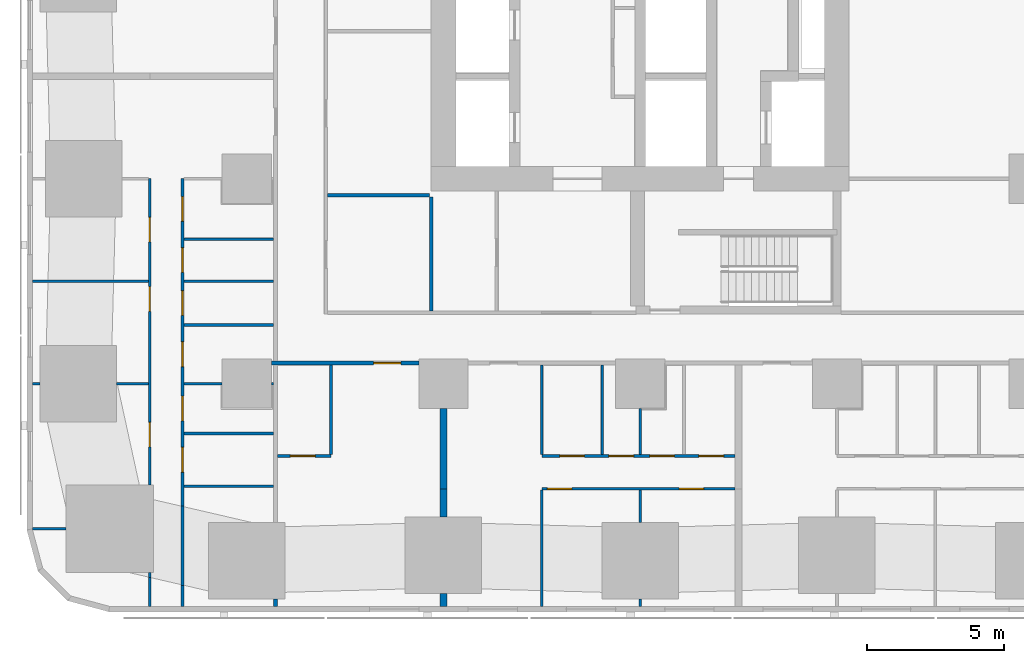
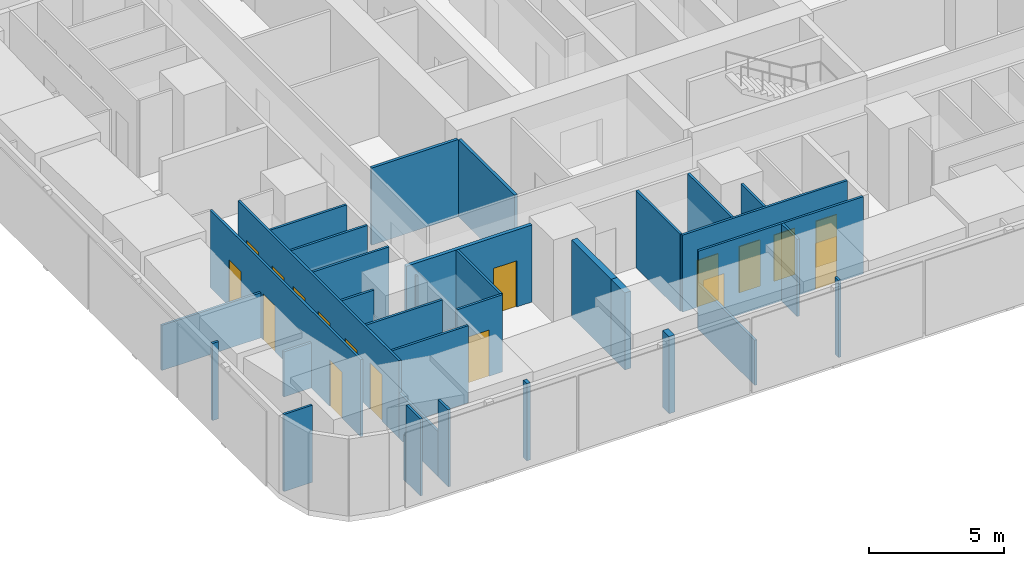
# One storey, part 2 of 18: 34 walls, 17 doors, 17 openings.
"""IFC4 building model written with IfcOpenShell, lengths in metres."""

from ifc_helpers import new_model, si_unit, direction, frame, frame_2d, origin, place, context, subcontext, project, spatial, rectangle, extrude, material, layer, layer_set, type_object, element, fill, save


model = new_model("IFC4")

# Units and contexts
model_context = context("Model", 3, precision=1e-05, world=origin(), true_north=direction((0.0, 1.0)))
body_context = subcontext(model_context, "Body", "Model", "MODEL_VIEW")
ifc_project = project(units=[si_unit("LENGTHUNIT", "METRE"), si_unit("AREAUNIT", "SQUARE_METRE"), si_unit("VOLUMEUNIT", "CUBIC_METRE"), si_unit("PLANEANGLEUNIT", "RADIAN"), si_unit("MASSUNIT", "GRAM", prefix="KILO")], contexts=[model_context])

# Site, building, storey
site_placement = place(None, origin())
site = spatial("IfcSite", under=ifc_project, at=site_placement, CompositionType="ELEMENT")
building_placement = place(site_placement, origin())
building = spatial("IfcBuilding", under=site, at=building_placement, Name="Sheger Commons Tower", CompositionType="ELEMENT")
storey_placement = place(building_placement, frame((0.0, 0.0, 31.25)))
storey = spatial("IfcBuildingStorey", under=building, at=storey_placement, Name="L07", CompositionType="ELEMENT", Elevation=31.25)

# Wall
ifc_material_1 = material(Name="Hollow concrete block masonry, skimmed both sides", Category="masonry")
ifc_layer_1 = layer(ifc_material_1, 0.14990234375)
ifc_layer_set_1 = layer_set([ifc_layer_1], Name="CORRIDOR WALL 150")
wall_type_1 = type_object("IfcWallType", Name="CORRIDOR WALL 150", PredefinedType="SOLIDWALL", material=ifc_layer_set_1)
wall_1_placement = place(storey_placement, frame((8.25, -0.64990234375, 0.0), z_axis=(0.0, 0.0, 1.0), x_axis=(0.0, 1.0, 0.0)))
element("IfcWall", 1, at=wall_1_placement, inside=storey, type_object=wall_type_1, Name="Corridor wall L07", PredefinedType="SOLIDWALL", context=body_context, shape_type="SweptSolid", body=[
    extrude(rectangle(XDim=0.27392578125, YDim=0.14990234375, at=frame_2d((0.136962890625, 0.0))), origin(), (0.0, 0.0, 1.0), 3.5),
])

# Wall, opening, door
wall_2_placement = place(storey_placement, frame((13.4990234375, 8.25, 0.0), z_axis=(0.0, 0.0, 1.0), x_axis=(-1.0, 0.0, 0.0)))
wall_2 = element("IfcWall", 2, at=wall_2_placement, inside=storey, type_object=wall_type_1, Name="Corridor wall L07", PredefinedType="SOLIDWALL", context=body_context, shape_type="SweptSolid", body=[
    extrude(rectangle(XDim=5.39892578125, YDim=0.14990234375, at=frame_2d((2.699462890625, 0.0))), origin(), (0.0, 0.0, 1.0), 3.5),
])
opening_1_placement = place(wall_2_placement, frame((0.659912109375, 0.0, 0.0)))
opening_1 = element("IfcOpeningElement", 3, at=opening_1_placement, cuts=wall_2, Name="Opening D1", PredefinedType="OPENING", context=body_context, shape_type="SweptSolid", body=[
    extrude(rectangle(XDim=1.0, YDim=2.10009765625, at=frame_2d((0.5, 1.050048828125))), frame((0.0, 0.0849609375, 0.0), z_axis=(0.0, -1.0, 0.0), x_axis=(1.0, 0.0, 0.0)), (0.0, 0.0, 1.0), 0.169921875),
])
ifc_material_2 = material(Name="Steel door set, fire rated", Category="steel")
door_type_1 = type_object("IfcDoorType", Name="FLAT ENTRANCE DOOR 1000x2100", OperationType="NOTDEFINED", PredefinedType="DOOR", material=ifc_material_2)
door_1_placement = place(opening_1_placement, origin())
door_1 = element("IfcDoor", 4, at=door_1_placement, inside=storey, type_object=door_type_1, Name="Flat entrance door", OperationType="SINGLE_SWING_LEFT", OverallHeight=2.10009765625, OverallWidth=1.0, PredefinedType="DOOR", context=body_context, shape_type="SweptSolid", body=[
    extrude(rectangle(XDim=1.0, YDim=2.10009765625, at=frame_2d((0.5, 1.050048828125))), frame((0.0, 0.02490234375, 0.0), z_axis=(0.0, -1.0, 0.0), x_axis=(1.0, 0.0, 0.0)), (0.0, 0.0, 1.0), 0.050048828125),
])
fill(opening_1, door_1)

# Walls
ifc_material_3 = material(Name="Dense concrete block masonry, plastered both sides (separating wall between flats)", Category="masonry")
ifc_layer_2 = layer(ifc_material_3, 0.25)
ifc_layer_set_2 = layer_set([ifc_layer_2], Name="DEMISING WALL 250")
wall_type_2 = type_object("IfcWallType", Name="DEMISING WALL 250", PredefinedType="SOLIDWALL", material=ifc_layer_set_2)
wall_3_placement = place(storey_placement, frame((14.39990234375, -0.64990234375, 0.0), z_axis=(0.0, 0.0, 1.0), x_axis=(0.0, 1.0, 0.0)))
element("IfcWall", 5, at=wall_3_placement, inside=storey, type_object=wall_type_2, Name="Demising wall L07", PredefinedType="SOLIDWALL", context=body_context, shape_type="SweptSolid", body=[
    extrude(rectangle(XDim=0.473876953125, YDim=0.25, at=frame_2d((0.23681640625, 0.0))), origin(), (0.0, 0.0, 1.0), 3.5),
])
wall_4_placement = place(storey_placement, frame((14.39990234375, 2.6259765625, 0.0), z_axis=(0.0, 0.0, 1.0), x_axis=(0.0, 1.0, 0.0)))
element("IfcWall", 6, at=wall_4_placement, inside=storey, type_object=wall_type_2, Name="Demising wall L07", PredefinedType="SOLIDWALL", context=body_context, shape_type="SweptSolid", body=[
    extrude(rectangle(XDim=1.02392578125, YDim=0.25, at=frame_2d((0.511962890625, 0.0))), origin(), (0.0, 0.0, 1.0), 3.5),
])
wall_5_placement = place(storey_placement, frame((14.39990234375, 3.64990234375, 0.0), z_axis=(0.0, 0.0, 1.0), x_axis=(0.0, 1.0, 0.0)))
element("IfcWall", 7, at=wall_5_placement, inside=storey, type_object=wall_type_2, Name="Demising wall L07", PredefinedType="SOLIDWALL", context=body_context, shape_type="SweptSolid", body=[
    extrude(rectangle(XDim=2.94921875, YDim=0.25, at=frame_2d((1.474609375, 0.0))), origin(), (0.0, 0.0, 1.0), 3.5),
])
ifc_material_4 = material(Name="Gypsum board on steel studs", Category="steel")
ifc_layer_3 = layer(ifc_material_4, 0.10009765625)
ifc_layer_set_3 = layer_set([ifc_layer_3], Name="PARTITION 100")
wall_type_3 = type_object("IfcWallType", Name="PARTITION 100", PredefinedType="PARTITIONING", material=ifc_layer_set_3)
wall_6_placement = place(storey_placement, frame((3.64990234375, -0.64990234375, 0.0), z_axis=(0.0, 0.0, 1.0), x_axis=(0.0, 1.0, 0.0)))
element("IfcWall", 8, at=wall_6_placement, inside=storey, type_object=wall_type_3, Name="Partition L07", PredefinedType="PARTITIONING", context=body_context, shape_type="SweptSolid", body=[
    extrude(rectangle(XDim=1.0478515625, YDim=0.10009765625, at=frame_2d((0.52392578125, 0.0))), origin(), (0.0, 0.0, 1.0), 3.5),
])
wall_7_placement = place(storey_placement, frame((3.64990234375, 0.39794921875, 0.0), z_axis=(0.0, 0.0, 1.0), x_axis=(0.0, 1.0, 0.0)))
element("IfcWall", 9, at=wall_7_placement, inside=storey, type_object=wall_type_3, Name="Partition L07", PredefinedType="PARTITIONING", context=body_context, shape_type="SweptSolid", body=[
    extrude(rectangle(XDim=0.18701171875, YDim=0.10009765625, at=frame_2d((0.093505859375, 0.0))), origin(), (0.0, 0.0, 1.0), 2.050048828125),
])

# Wall, openings, doors
wall_8_placement = place(storey_placement, frame((3.64990234375, 3.787109375, 0.0), z_axis=(0.0, 0.0, 1.0), x_axis=(0.0, 1.0, 0.0)))
wall_8 = element("IfcWall", 10, at=wall_8_placement, inside=storey, type_object=wall_type_3, Name="Partition L07", PredefinedType="PARTITIONING", context=body_context, shape_type="SweptSolid", body=[
    extrude(rectangle(XDim=11.212890625, YDim=0.10009765625, at=frame_2d((5.6064453125, 0.0))), origin(), (0.0, 0.0, 1.0), 3.5),
])
opening_2_placement = place(wall_8_placement, frame((8.89990234375, 0.0, 0.0)))
opening_2 = element("IfcOpeningElement", 11, at=opening_2_placement, cuts=wall_8, Name="Opening D2", PredefinedType="OPENING", context=body_context, shape_type="SweptSolid", body=[
    extrude(rectangle(XDim=0.89990234375, YDim=2.10009765625, at=frame_2d((0.449951171875, 1.050048828125))), frame((0.0, 0.06005859375, 0.0), z_axis=(0.0, -1.0, 0.0), x_axis=(1.0, 0.0, 0.0)), (0.0, 0.0, 1.0), 0.1201171875),
])
opening_3_placement = place(wall_8_placement, frame((6.363037109375, 0.0, 0.0)))
opening_3 = element("IfcOpeningElement", 12, at=opening_3_placement, cuts=wall_8, Name="Opening D2", PredefinedType="OPENING", context=body_context, shape_type="SweptSolid", body=[
    extrude(rectangle(XDim=0.89990234375, YDim=2.10009765625, at=frame_2d((0.449951171875, 1.050048828125))), frame((0.0, 0.06005859375, 0.0), z_axis=(0.0, -1.0, 0.0), x_axis=(1.0, 0.0, 0.0)), (0.0, 0.0, 1.0), 0.1201171875),
])
opening_4_placement = place(wall_8_placement, frame((1.39990234375, 0.0, 0.0)))
opening_4 = element("IfcOpeningElement", 13, at=opening_4_placement, cuts=wall_8, Name="Opening D2", PredefinedType="OPENING", context=body_context, shape_type="SweptSolid", body=[
    extrude(rectangle(XDim=0.89990234375, YDim=2.10009765625, at=frame_2d((0.449951171875, 1.050048828125))), frame((0.0, 0.06005859375, 0.0), z_axis=(0.0, -1.0, 0.0), x_axis=(1.0, 0.0, 0.0)), (0.0, 0.0, 1.0), 0.1201171875),
])
ifc_material_5 = material(Name="Timber door set", Category="wood")
door_type_2 = type_object("IfcDoorType", Name="INTERNAL DOOR 900x2100", OperationType="NOTDEFINED", PredefinedType="DOOR", material=ifc_material_5)
door_2_placement = place(opening_2_placement, origin())
door_2 = element("IfcDoor", 14, at=door_2_placement, inside=storey, type_object=door_type_2, Name="Main bedroom door", OperationType="SINGLE_SWING_RIGHT", OverallHeight=2.10009765625, OverallWidth=0.89990234375, PredefinedType="DOOR", context=body_context, shape_type="SweptSolid", body=[
    extrude(rectangle(XDim=0.89990234375, YDim=2.10009765625, at=frame_2d((0.449951171875, 1.050048828125))), frame((0.0, 0.02490234375, 0.0), z_axis=(0.0, -1.0, 0.0), x_axis=(1.0, 0.0, 0.0)), (0.0, 0.0, 1.0), 0.050048828125),
])
fill(opening_2, door_2)
door_3_placement = place(opening_3_placement, origin())
door_3 = element("IfcDoor", 15, at=door_3_placement, inside=storey, type_object=door_type_2, Name="Bedroom 2 door", OperationType="SINGLE_SWING_RIGHT", OverallHeight=2.10009765625, OverallWidth=0.89990234375, PredefinedType="DOOR", context=body_context, shape_type="SweptSolid", body=[
    extrude(rectangle(XDim=0.89990234375, YDim=2.10009765625, at=frame_2d((0.449951171875, 1.050048828125))), frame((0.0, 0.02490234375, 0.0), z_axis=(0.0, -1.0, 0.0), x_axis=(1.0, 0.0, 0.0)), (0.0, 0.0, 1.0), 0.050048828125),
])
fill(opening_3, door_3)
door_4_placement = place(opening_4_placement, origin())
door_4 = element("IfcDoor", 16, at=door_4_placement, inside=storey, type_object=door_type_2, Name="Bedroom 3 door", OperationType="SINGLE_SWING_LEFT", OverallHeight=2.10009765625, OverallWidth=0.89990234375, PredefinedType="DOOR", context=body_context, shape_type="SweptSolid", body=[
    extrude(rectangle(XDim=0.89990234375, YDim=2.10009765625, at=frame_2d((0.449951171875, 1.050048828125))), frame((0.0, 0.02490234375, 0.0), z_axis=(0.0, -1.0, 0.0), x_axis=(1.0, 0.0, 0.0)), (0.0, 0.0, 1.0), 0.050048828125),
])
fill(opening_4, door_4)

# Walls
wall_9_placement = place(storey_placement, frame((4.85009765625, -0.64990234375, 0.0), z_axis=(0.0, 0.0, 1.0), x_axis=(0.0, 1.0, 0.0)))
element("IfcWall", 17, at=wall_9_placement, inside=storey, type_object=wall_type_3, Name="Partition L07", PredefinedType="PARTITIONING", context=body_context, shape_type="SweptSolid", body=[
    extrude(rectangle(XDim=0.77099609375, YDim=0.10009765625, at=frame_2d((0.385498046875, 0.0))), origin(), (0.0, 0.0, 1.0), 3.5),
])
wall_10_placement = place(storey_placement, frame((4.85009765625, 0.12109375, 0.0), z_axis=(0.0, 0.0, 1.0), x_axis=(0.0, 1.0, 0.0)))
element("IfcWall", 18, at=wall_10_placement, inside=storey, type_object=wall_type_3, Name="Partition L07", PredefinedType="PARTITIONING", context=body_context, shape_type="SweptSolid", body=[
    extrude(rectangle(XDim=2.89697265625, YDim=0.10009765625, at=frame_2d((1.448486328125, 0.0))), origin(), (0.0, 0.0, 1.0), 2.050048828125),
])

# Wall, openings, doors
wall_11_placement = place(storey_placement, frame((4.85009765625, 3.01806640625, 0.0), z_axis=(0.0, 0.0, 1.0), x_axis=(0.0, 1.0, 0.0)))
wall_11 = element("IfcWall", 19, at=wall_11_placement, inside=storey, type_object=wall_type_3, Name="Partition L07", PredefinedType="PARTITIONING", context=body_context, shape_type="SweptSolid", body=[
    extrude(rectangle(XDim=11.98193359375, YDim=0.10009765625, at=frame_2d((5.990966796875, 0.0))), origin(), (0.0, 0.0, 1.0), 3.5),
])
opening_5_placement = place(wall_11_placement, frame((10.427001953125, 0.0, 0.0)))
opening_5 = element("IfcOpeningElement", 20, at=opening_5_placement, cuts=wall_11, Name="Opening D2", PredefinedType="OPENING", context=body_context, shape_type="SweptSolid", body=[
    extrude(rectangle(XDim=0.89990234375, YDim=2.10009765625, at=frame_2d((0.449951171875, 1.050048828125))), frame((0.0, 0.06005859375, 0.0), z_axis=(0.0, -1.0, 0.0), x_axis=(1.0, 0.0, 0.0)), (0.0, 0.0, 1.0), 0.1201171875),
])
opening_6_placement = place(wall_11_placement, frame((6.98193359375, 0.0, 0.0)))
opening_6 = element("IfcOpeningElement", 21, at=opening_6_placement, cuts=wall_11, Name="Opening D2", PredefinedType="OPENING", context=body_context, shape_type="SweptSolid", body=[
    extrude(rectangle(XDim=0.89990234375, YDim=2.10009765625, at=frame_2d((0.449951171875, 1.050048828125))), frame((0.0, 0.06005859375, 0.0), z_axis=(0.0, -1.0, 0.0), x_axis=(1.0, 0.0, 0.0)), (0.0, 0.0, 1.0), 0.1201171875),
])
opening_7_placement = place(wall_11_placement, frame((3.1220703125, 0.0, 0.0)))
opening_7 = element("IfcOpeningElement", 22, at=opening_7_placement, cuts=wall_11, Name="Opening D2", PredefinedType="OPENING", context=body_context, shape_type="SweptSolid", body=[
    extrude(rectangle(XDim=0.89990234375, YDim=2.10009765625, at=frame_2d((0.449951171875, 1.050048828125))), frame((0.0, 0.06005859375, 0.0), z_axis=(0.0, -1.0, 0.0), x_axis=(1.0, 0.0, 0.0)), (0.0, 0.0, 1.0), 0.1201171875),
])
opening_8_placement = place(wall_11_placement, frame((8.552001953125, 0.0, 0.0)))
opening_8 = element("IfcOpeningElement", 23, at=opening_8_placement, cuts=wall_11, Name="Opening D2", PredefinedType="OPENING", context=body_context, shape_type="SweptSolid", body=[
    extrude(rectangle(XDim=0.89990234375, YDim=2.10009765625, at=frame_2d((0.449951171875, 1.050048828125))), frame((0.0, 0.06005859375, 0.0), z_axis=(0.0, -1.0, 0.0), x_axis=(1.0, 0.0, 0.0)), (0.0, 0.0, 1.0), 0.1201171875),
])
opening_9_placement = place(wall_11_placement, frame((5.10693359375, 0.0, 0.0)))
opening_9 = element("IfcOpeningElement", 24, at=opening_9_placement, cuts=wall_11, Name="Opening D2", PredefinedType="OPENING", context=body_context, shape_type="SweptSolid", body=[
    extrude(rectangle(XDim=0.89990234375, YDim=2.10009765625, at=frame_2d((0.449951171875, 1.050048828125))), frame((0.0, 0.06005859375, 0.0), z_axis=(0.0, -1.0, 0.0), x_axis=(1.0, 0.0, 0.0)), (0.0, 0.0, 1.0), 0.1201171875),
])
opening_10_placement = place(wall_11_placement, frame((1.2470703125, 0.0, 0.0)))
opening_10 = element("IfcOpeningElement", 25, at=opening_10_placement, cuts=wall_11, Name="Opening D2", PredefinedType="OPENING", context=body_context, shape_type="SweptSolid", body=[
    extrude(rectangle(XDim=0.89990234375, YDim=2.10009765625, at=frame_2d((0.449951171875, 1.050048828125))), frame((0.0, 0.06005859375, 0.0), z_axis=(0.0, -1.0, 0.0), x_axis=(1.0, 0.0, 0.0)), (0.0, 0.0, 1.0), 0.1201171875),
])
door_5_placement = place(opening_5_placement, origin())
door_5 = element("IfcDoor", 26, at=door_5_placement, inside=storey, type_object=door_type_2, Name="Bathroom door", OperationType="SINGLE_SWING_LEFT", OverallHeight=2.10009765625, OverallWidth=0.89990234375, PredefinedType="DOOR", context=body_context, shape_type="SweptSolid", body=[
    extrude(rectangle(XDim=0.89990234375, YDim=2.10009765625, at=frame_2d((0.449951171875, 1.050048828125))), frame((0.0, 0.02490234375, 0.0), z_axis=(0.0, -1.0, 0.0), x_axis=(1.0, 0.0, 0.0)), (0.0, 0.0, 1.0), 0.050048828125),
])
fill(opening_5, door_5)
door_6_placement = place(opening_6_placement, origin())
door_6 = element("IfcDoor", 27, at=door_6_placement, inside=storey, type_object=door_type_2, Name="Shower room door", OperationType="SINGLE_SWING_LEFT", OverallHeight=2.10009765625, OverallWidth=0.89990234375, PredefinedType="DOOR", context=body_context, shape_type="SweptSolid", body=[
    extrude(rectangle(XDim=0.89990234375, YDim=2.10009765625, at=frame_2d((0.449951171875, 1.050048828125))), frame((0.0, 0.02490234375, 0.0), z_axis=(0.0, -1.0, 0.0), x_axis=(1.0, 0.0, 0.0)), (0.0, 0.0, 1.0), 0.050048828125),
])
fill(opening_6, door_6)
door_7_placement = place(opening_7_placement, origin())
door_7 = element("IfcDoor", 28, at=door_7_placement, inside=storey, type_object=door_type_2, Name="Laundry room door", OperationType="SINGLE_SWING_LEFT", OverallHeight=2.10009765625, OverallWidth=0.89990234375, PredefinedType="DOOR", context=body_context, shape_type="SweptSolid", body=[
    extrude(rectangle(XDim=0.89990234375, YDim=2.10009765625, at=frame_2d((0.449951171875, 1.050048828125))), frame((0.0, 0.02490234375, 0.0), z_axis=(0.0, -1.0, 0.0), x_axis=(1.0, 0.0, 0.0)), (0.0, 0.0, 1.0), 0.050048828125),
])
fill(opening_7, door_7)
door_8_placement = place(opening_8_placement, origin())
door_8 = element("IfcDoor", 29, at=door_8_placement, inside=storey, type_object=door_type_2, Name="Store door", OperationType="SINGLE_SWING_RIGHT", OverallHeight=2.10009765625, OverallWidth=0.89990234375, PredefinedType="DOOR", context=body_context, shape_type="SweptSolid", body=[
    extrude(rectangle(XDim=0.89990234375, YDim=2.10009765625, at=frame_2d((0.449951171875, 1.050048828125))), frame((0.0, 0.02490234375, 0.0), z_axis=(0.0, -1.0, 0.0), x_axis=(1.0, 0.0, 0.0)), (0.0, 0.0, 1.0), 0.050048828125),
])
fill(opening_8, door_8)
door_9_placement = place(opening_9_placement, origin())
door_9 = element("IfcDoor", 30, at=door_9_placement, inside=storey, type_object=door_type_2, Name="Store door", OperationType="SINGLE_SWING_RIGHT", OverallHeight=2.10009765625, OverallWidth=0.89990234375, PredefinedType="DOOR", context=body_context, shape_type="SweptSolid", body=[
    extrude(rectangle(XDim=0.89990234375, YDim=2.10009765625, at=frame_2d((0.449951171875, 1.050048828125))), frame((0.0, 0.02490234375, 0.0), z_axis=(0.0, -1.0, 0.0), x_axis=(1.0, 0.0, 0.0)), (0.0, 0.0, 1.0), 0.050048828125),
])
fill(opening_9, door_9)
door_10_placement = place(opening_10_placement, origin())
door_10 = element("IfcDoor", 31, at=door_10_placement, inside=storey, type_object=door_type_2, Name="Store door", OperationType="SINGLE_SWING_RIGHT", OverallHeight=2.10009765625, OverallWidth=0.89990234375, PredefinedType="DOOR", context=body_context, shape_type="SweptSolid", body=[
    extrude(rectangle(XDim=0.89990234375, YDim=2.10009765625, at=frame_2d((0.449951171875, 1.050048828125))), frame((0.0, 0.02490234375, 0.0), z_axis=(0.0, -1.0, 0.0), x_axis=(1.0, 0.0, 0.0)), (0.0, 0.0, 1.0), 0.050048828125),
])
fill(opening_10, door_10)

# Walls
wall_12_placement = place(storey_placement, frame((-0.64990234375, 2.18603515625, 0.0), z_axis=(0.0, 0.0, 1.0), x_axis=(1.0, 0.0, 0.0)))
element("IfcWall", 32, at=wall_12_placement, inside=storey, type_object=wall_type_3, Name="Partition L07", PredefinedType="PARTITIONING", context=body_context, shape_type="SweptSolid", body=[
    extrude(rectangle(XDim=1.23486328125, YDim=0.10009765625, at=frame_2d((0.617431640625, 0.0))), origin(), (0.0, 0.0, 1.0), 3.5),
])
wall_13_placement = place(storey_placement, frame((-0.64990234375, 7.5, 0.0), z_axis=(0.0, 0.0, 1.0), x_axis=(1.0, 0.0, 0.0)))
element("IfcWall", 33, at=wall_13_placement, inside=storey, type_object=wall_type_3, Name="Partition L07", PredefinedType="PARTITIONING", context=body_context, shape_type="SweptSolid", body=[
    extrude(rectangle(XDim=0.27392578125, YDim=0.10009765625, at=frame_2d((0.136962890625, 0.0))), origin(), (0.0, 0.0, 1.0), 3.5),
])
wall_14_placement = place(storey_placement, frame((2.426025390625, 7.5, 0.0), z_axis=(0.0, 0.0, 1.0), x_axis=(1.0, 0.0, 0.0)))
element("IfcWall", 34, at=wall_14_placement, inside=storey, type_object=wall_type_3, Name="Partition L07", PredefinedType="PARTITIONING", context=body_context, shape_type="SweptSolid", body=[
    extrude(rectangle(XDim=1.174072265625, YDim=0.10009765625, at=frame_2d((0.5869140625, 0.0))), origin(), (0.0, 0.0, 1.0), 2.050048828125),
])
wall_15_placement = place(storey_placement, frame((-0.64990234375, 11.25, 0.0), z_axis=(0.0, 0.0, 1.0), x_axis=(1.0, 0.0, 0.0)))
element("IfcWall", 35, at=wall_15_placement, inside=storey, type_object=wall_type_3, Name="Partition L07", PredefinedType="PARTITIONING", context=body_context, shape_type="SweptSolid", body=[
    extrude(rectangle(XDim=4.25, YDim=0.10009765625, at=frame_2d((2.125, 0.0))), origin(), (0.0, 0.0, 1.0), 2.050048828125),
])
wall_16_placement = place(storey_placement, frame((4.89990234375, 3.75, 0.0), z_axis=(0.0, 0.0, 1.0), x_axis=(1.0, 0.0, 0.0)))
element("IfcWall", 36, at=wall_16_placement, inside=storey, type_object=wall_type_3, Name="Partition L07", PredefinedType="PARTITIONING", context=body_context, shape_type="SweptSolid", body=[
    extrude(rectangle(XDim=3.275146484375, YDim=0.10009765625, at=frame_2d((1.6376953125, 0.0))), origin(), (0.0, 0.0, 1.0), 3.5),
])
wall_17_placement = place(storey_placement, frame((4.89990234375, 7.5, 0.0), z_axis=(0.0, 0.0, 1.0), x_axis=(1.0, 0.0, 0.0)))
element("IfcWall", 37, at=wall_17_placement, inside=storey, type_object=wall_type_3, Name="Partition L07", PredefinedType="PARTITIONING", context=body_context, shape_type="SweptSolid", body=[
    extrude(rectangle(XDim=1.399169921875, YDim=0.10009765625, at=frame_2d((0.69970703125, 0.0))), origin(), (0.0, 0.0, 1.0), 3.5),
])
wall_18_placement = place(storey_placement, frame((8.10107421875, 7.5, 0.0), z_axis=(0.0, 0.0, 1.0), x_axis=(1.0, 0.0, 0.0)))
element("IfcWall", 38, at=wall_18_placement, inside=storey, type_object=wall_type_3, Name="Partition L07", PredefinedType="PARTITIONING", context=body_context, shape_type="SweptSolid", body=[
    extrude(rectangle(XDim=0.073974609375, YDim=0.10009765625, at=frame_2d((0.037109375, 0.0))), origin(), (0.0, 0.0, 1.0), 3.5),
])
for number, where, z_axis, x_axis, name in (
    (39, (4.89990234375, 11.25, 0.0), (0.0, 0.0, 1.0), (1.0, 0.0, 0.0), "Partition L07"),
    (40, (4.89990234375, 12.7900390625, 0.0), (0.0, 0.0, 1.0), (1.0, 0.0, 0.0), "Partition L07"),
    (41, (4.89990234375, 9.64990234375, 0.0), (0.0, 0.0, 1.0), (1.0, 0.0, 0.0), "Partition L07"),
    (42, (4.89990234375, 5.679931640625, 0.0), (0.0, 0.0, 1.0), (1.0, 0.0, 0.0), "Partition L07"),
):
    element("IfcWall", number, at=place(storey_placement, frame(where, z_axis=z_axis, x_axis=x_axis)), inside=storey, type_object=wall_type_3, Name=name, PredefinedType="PARTITIONING", context=body_context, shape_type="SweptSolid", body=[
        extrude(rectangle(XDim=3.275146484375, YDim=0.10009765625, at=frame_2d((1.6376953125, 0.0))), origin(), (0.0, 0.0, 1.0), 3.5),
    ])

# Wall, opening, door
wall_19_placement = place(storey_placement, frame((10.279052734375, 4.85009765625, 0.0), z_axis=(0.0, 0.0, 1.0), x_axis=(-1.0, 0.0, 0.0)))
wall_19 = element("IfcWall", 43, at=wall_19_placement, inside=storey, type_object=wall_type_3, Name="Partition L07", PredefinedType="PARTITIONING", context=body_context, shape_type="SweptSolid", body=[
    extrude(rectangle(XDim=1.9541015625, YDim=0.10009765625, at=frame_2d((0.97705078125, 0.0))), origin(), (0.0, 0.0, 1.0), 3.5),
])
opening_11_placement = place(wall_19_placement, frame((0.5791015625, 0.0, 0.0)))
opening_11 = element("IfcOpeningElement", 44, at=opening_11_placement, cuts=wall_19, Name="Opening D2", PredefinedType="OPENING", context=body_context, shape_type="SweptSolid", body=[
    extrude(rectangle(XDim=0.89990234375, YDim=2.10009765625, at=frame_2d((0.449951171875, 1.050048828125))), frame((0.0, 0.06005859375, 0.0), z_axis=(0.0, -1.0, 0.0), x_axis=(1.0, 0.0, 0.0)), (0.0, 0.0, 1.0), 0.1201171875),
])
door_11_placement = place(opening_11_placement, origin())
door_11 = element("IfcDoor", 45, at=door_11_placement, inside=storey, type_object=door_type_2, Name="Shower room door", OperationType="SINGLE_SWING_LEFT", OverallHeight=2.10009765625, OverallWidth=0.89990234375, PredefinedType="DOOR", context=body_context, shape_type="SweptSolid", body=[
    extrude(rectangle(XDim=0.89990234375, YDim=2.10009765625, at=frame_2d((0.449951171875, 1.050048828125))), frame((0.0, 0.02490234375, 0.0), z_axis=(0.0, -1.0, 0.0), x_axis=(1.0, 0.0, 0.0)), (0.0, 0.0, 1.0), 0.050048828125),
])
fill(opening_11, door_11)

# Wall
wall_20_placement = place(storey_placement, frame((10.279052734375, 4.89990234375, 0.0), z_axis=(0.0, 0.0, 1.0), x_axis=(0.0, 1.0, 0.0)))
element("IfcWall", 46, at=wall_20_placement, inside=storey, type_object=wall_type_3, Name="Partition L07", PredefinedType="PARTITIONING", context=body_context, shape_type="SweptSolid", body=[
    extrude(rectangle(XDim=3.275146484375, YDim=0.10009765625, at=frame_2d((1.6376953125, 0.0))), origin(), (0.0, 0.0, 1.0), 3.5),
])

# Wall, openings, doors
wall_21_placement = place(storey_placement, frame((25.074951171875, 3.64990234375, 0.0), z_axis=(0.0, 0.0, 1.0), x_axis=(-1.0, 0.0, 0.0)))
wall_21 = element("IfcWall", 47, at=wall_21_placement, inside=storey, type_object=wall_type_3, Name="Partition L07", PredefinedType="PARTITIONING", context=body_context, shape_type="SweptSolid", body=[
    extrude(rectangle(XDim=7.074951171875, YDim=0.10009765625, at=frame_2d((3.53759765625, 0.0))), origin(), (0.0, 0.0, 1.0), 3.5),
])
opening_12_placement = place(wall_21_placement, frame((5.97509765625, 0.0, 0.0)))
opening_12 = element("IfcOpeningElement", 48, at=opening_12_placement, cuts=wall_21, Name="Opening D2", PredefinedType="OPENING", context=body_context, shape_type="SweptSolid", body=[
    extrude(rectangle(XDim=0.89990234375, YDim=2.10009765625, at=frame_2d((0.449951171875, 1.050048828125))), frame((0.0, 0.06005859375, 0.0), z_axis=(0.0, -1.0, 0.0), x_axis=(1.0, 0.0, 0.0)), (0.0, 0.0, 1.0), 0.1201171875),
])
opening_13_placement = place(wall_21_placement, frame((1.14990234375, 0.0, 0.0)))
opening_13 = element("IfcOpeningElement", 49, at=opening_13_placement, cuts=wall_21, Name="Opening D2", PredefinedType="OPENING", context=body_context, shape_type="SweptSolid", body=[
    extrude(rectangle(XDim=0.89990234375, YDim=2.10009765625, at=frame_2d((0.449951171875, 1.050048828125))), frame((0.0, 0.06005859375, 0.0), z_axis=(0.0, -1.0, 0.0), x_axis=(1.0, 0.0, 0.0)), (0.0, 0.0, 1.0), 0.1201171875),
])
door_12_placement = place(opening_12_placement, origin())
door_12 = element("IfcDoor", 50, at=door_12_placement, inside=storey, type_object=door_type_2, Name="Main bedroom door", OperationType="SINGLE_SWING_RIGHT", OverallHeight=2.10009765625, OverallWidth=0.89990234375, PredefinedType="DOOR", context=body_context, shape_type="SweptSolid", body=[
    extrude(rectangle(XDim=0.89990234375, YDim=2.10009765625, at=frame_2d((0.449951171875, 1.050048828125))), frame((0.0, 0.02490234375, 0.0), z_axis=(0.0, -1.0, 0.0), x_axis=(1.0, 0.0, 0.0)), (0.0, 0.0, 1.0), 0.050048828125),
])
fill(opening_12, door_12)
door_13_placement = place(opening_13_placement, origin())
door_13 = element("IfcDoor", 51, at=door_13_placement, inside=storey, type_object=door_type_2, Name="Bedroom 2 door", OperationType="SINGLE_SWING_LEFT", OverallHeight=2.10009765625, OverallWidth=0.89990234375, PredefinedType="DOOR", context=body_context, shape_type="SweptSolid", body=[
    extrude(rectangle(XDim=0.89990234375, YDim=2.10009765625, at=frame_2d((0.449951171875, 1.050048828125))), frame((0.0, 0.02490234375, 0.0), z_axis=(0.0, -1.0, 0.0), x_axis=(1.0, 0.0, 0.0)), (0.0, 0.0, 1.0), 0.050048828125),
])
fill(opening_13, door_13)

wall_22_placement = place(storey_placement, frame((25.074951171875, 4.85009765625, 0.0), z_axis=(0.0, 0.0, 1.0), x_axis=(-1.0, 0.0, 0.0)))
wall_22 = element("IfcWall", 52, at=wall_22_placement, inside=storey, type_object=wall_type_3, Name="Partition L07", PredefinedType="PARTITIONING", context=body_context, shape_type="SweptSolid", body=[
    extrude(rectangle(XDim=7.074951171875, YDim=0.10009765625, at=frame_2d((3.53759765625, 0.0))), origin(), (0.0, 0.0, 1.0), 3.5),
])
opening_14_placement = place(wall_22_placement, frame((5.52001953125, 0.0, 0.0)))
opening_14 = element("IfcOpeningElement", 53, at=opening_14_placement, cuts=wall_22, Name="Opening D2", PredefinedType="OPENING", context=body_context, shape_type="SweptSolid", body=[
    extrude(rectangle(XDim=0.89990234375, YDim=2.10009765625, at=frame_2d((0.449951171875, 1.050048828125))), frame((0.0, 0.06005859375, 0.0), z_axis=(0.0, -1.0, 0.0), x_axis=(1.0, 0.0, 0.0)), (0.0, 0.0, 1.0), 0.1201171875),
])
opening_15_placement = place(wall_22_placement, frame((2.22509765625, 0.0, 0.0)))
opening_15 = element("IfcOpeningElement", 54, at=opening_15_placement, cuts=wall_22, Name="Opening D2", PredefinedType="OPENING", context=body_context, shape_type="SweptSolid", body=[
    extrude(rectangle(XDim=0.89990234375, YDim=2.10009765625, at=frame_2d((0.449951171875, 1.050048828125))), frame((0.0, 0.06005859375, 0.0), z_axis=(0.0, -1.0, 0.0), x_axis=(1.0, 0.0, 0.0)), (0.0, 0.0, 1.0), 0.1201171875),
])
opening_16_placement = place(wall_22_placement, frame((3.719970703125, 0.0, 0.0)))
opening_16 = element("IfcOpeningElement", 55, at=opening_16_placement, cuts=wall_22, Name="Opening D2", PredefinedType="OPENING", context=body_context, shape_type="SweptSolid", body=[
    extrude(rectangle(XDim=0.89990234375, YDim=2.10009765625, at=frame_2d((0.449951171875, 1.050048828125))), frame((0.0, 0.06005859375, 0.0), z_axis=(0.0, -1.0, 0.0), x_axis=(1.0, 0.0, 0.0)), (0.0, 0.0, 1.0), 0.1201171875),
])
opening_17_placement = place(wall_22_placement, frame((0.425048828125, 0.0, 0.0)))
opening_17 = element("IfcOpeningElement", 56, at=opening_17_placement, cuts=wall_22, Name="Opening D2", PredefinedType="OPENING", context=body_context, shape_type="SweptSolid", body=[
    extrude(rectangle(XDim=0.89990234375, YDim=2.10009765625, at=frame_2d((0.449951171875, 1.050048828125))), frame((0.0, 0.06005859375, 0.0), z_axis=(0.0, -1.0, 0.0), x_axis=(1.0, 0.0, 0.0)), (0.0, 0.0, 1.0), 0.1201171875),
])
door_14_placement = place(opening_14_placement, origin())
door_14 = element("IfcDoor", 57, at=door_14_placement, inside=storey, type_object=door_type_2, Name="Bathroom door", OperationType="SINGLE_SWING_LEFT", OverallHeight=2.10009765625, OverallWidth=0.89990234375, PredefinedType="DOOR", context=body_context, shape_type="SweptSolid", body=[
    extrude(rectangle(XDim=0.89990234375, YDim=2.10009765625, at=frame_2d((0.449951171875, 1.050048828125))), frame((0.0, 0.02490234375, 0.0), z_axis=(0.0, -1.0, 0.0), x_axis=(1.0, 0.0, 0.0)), (0.0, 0.0, 1.0), 0.050048828125),
])
fill(opening_14, door_14)
door_15_placement = place(opening_15_placement, origin())
door_15 = element("IfcDoor", 58, at=door_15_placement, inside=storey, type_object=door_type_2, Name="Shower room door", OperationType="SINGLE_SWING_RIGHT", OverallHeight=2.10009765625, OverallWidth=0.89990234375, PredefinedType="DOOR", context=body_context, shape_type="SweptSolid", body=[
    extrude(rectangle(XDim=0.89990234375, YDim=2.10009765625, at=frame_2d((0.449951171875, 1.050048828125))), frame((0.0, 0.02490234375, 0.0), z_axis=(0.0, -1.0, 0.0), x_axis=(1.0, 0.0, 0.0)), (0.0, 0.0, 1.0), 0.050048828125),
])
fill(opening_15, door_15)
door_16_placement = place(opening_16_placement, origin())
door_16 = element("IfcDoor", 59, at=door_16_placement, inside=storey, type_object=door_type_2, Name="Store door", OperationType="SINGLE_SWING_RIGHT", OverallHeight=2.10009765625, OverallWidth=0.89990234375, PredefinedType="DOOR", context=body_context, shape_type="SweptSolid", body=[
    extrude(rectangle(XDim=0.89990234375, YDim=2.10009765625, at=frame_2d((0.449951171875, 1.050048828125))), frame((0.0, 0.02490234375, 0.0), z_axis=(0.0, -1.0, 0.0), x_axis=(1.0, 0.0, 0.0)), (0.0, 0.0, 1.0), 0.050048828125),
])
fill(opening_16, door_16)
door_17_placement = place(opening_17_placement, origin())
door_17 = element("IfcDoor", 60, at=door_17_placement, inside=storey, type_object=door_type_2, Name="Store door", OperationType="SINGLE_SWING_RIGHT", OverallHeight=2.10009765625, OverallWidth=0.89990234375, PredefinedType="DOOR", context=body_context, shape_type="SweptSolid", body=[
    extrude(rectangle(XDim=0.89990234375, YDim=2.10009765625, at=frame_2d((0.449951171875, 1.050048828125))), frame((0.0, 0.02490234375, 0.0), z_axis=(0.0, -1.0, 0.0), x_axis=(1.0, 0.0, 0.0)), (0.0, 0.0, 1.0), 0.050048828125),
])
fill(opening_17, door_17)

# Walls
wall_23_placement = place(storey_placement, frame((18.0, -0.64990234375, 0.0), z_axis=(0.0, 0.0, 1.0), x_axis=(0.0, 1.0, 0.0)))
element("IfcWall", 61, at=wall_23_placement, inside=storey, type_object=wall_type_3, Name="Partition L07", PredefinedType="PARTITIONING", context=body_context, shape_type="SweptSolid", body=[
    extrude(rectangle(XDim=4.25, YDim=0.10009765625, at=frame_2d((2.125, 0.0))), origin(), (0.0, 0.0, 1.0), 2.050048828125),
])
wall_24_placement = place(storey_placement, frame((21.60009765625, -0.64990234375, 0.0), z_axis=(0.0, 0.0, 1.0), x_axis=(0.0, 1.0, 0.0)))
element("IfcWall", 62, at=wall_24_placement, inside=storey, type_object=wall_type_3, Name="Partition L07", PredefinedType="PARTITIONING", context=body_context, shape_type="SweptSolid", body=[
    extrude(rectangle(XDim=0.27392578125, YDim=0.10009765625, at=frame_2d((0.136962890625, 0.0))), origin(), (0.0, 0.0, 1.0), 3.5),
])
wall_25_placement = place(storey_placement, frame((21.60009765625, 2.426025390625, 0.0), z_axis=(0.0, 0.0, 1.0), x_axis=(0.0, 1.0, 0.0)))
element("IfcWall", 63, at=wall_25_placement, inside=storey, type_object=wall_type_3, Name="Partition L07", PredefinedType="PARTITIONING", context=body_context, shape_type="SweptSolid", body=[
    extrude(rectangle(XDim=1.174072265625, YDim=0.10009765625, at=frame_2d((0.5869140625, 0.0))), origin(), (0.0, 0.0, 1.0), 3.5),
])
wall_26_placement = place(storey_placement, frame((18.0, 4.89990234375, 0.0), z_axis=(0.0, 0.0, 1.0), x_axis=(0.0, 1.0, 0.0)))
element("IfcWall", 64, at=wall_26_placement, inside=storey, type_object=wall_type_3, Name="Partition L07", PredefinedType="PARTITIONING", context=body_context, shape_type="SweptSolid", body=[
    extrude(rectangle(XDim=3.275146484375, YDim=0.10009765625, at=frame_2d((1.6376953125, 0.0))), origin(), (0.0, 0.0, 1.0), 3.5),
])
wall_27_placement = place(storey_placement, frame((21.60009765625, 4.89990234375, 0.0), z_axis=(0.0, 0.0, 1.0), x_axis=(0.0, 1.0, 0.0)))
element("IfcWall", 65, at=wall_27_placement, inside=storey, type_object=wall_type_3, Name="Partition L07", PredefinedType="PARTITIONING", context=body_context, shape_type="SweptSolid", body=[
    extrude(rectangle(XDim=1.69921875, YDim=0.10009765625, at=frame_2d((0.849609375, 0.0))), origin(), (0.0, 0.0, 1.0), 3.5),
])
wall_28_placement = place(storey_placement, frame((20.2099609375, 4.89990234375, 0.0), z_axis=(0.0, 0.0, 1.0), x_axis=(0.0, 1.0, 0.0)))
element("IfcWall", 66, at=wall_28_placement, inside=storey, type_object=wall_type_3, Name="Partition L07", PredefinedType="PARTITIONING", context=body_context, shape_type="SweptSolid", body=[
    extrude(rectangle(XDim=3.275146484375, YDim=0.10009765625, at=frame_2d((1.6376953125, 0.0))), origin(), (0.0, 0.0, 1.0), 3.5),
])
ifc_material_6 = material(Name="Gypsum board on steel studs, two layers each side, fire rated", Category="steel")
ifc_layer_4 = layer(ifc_material_6, 0.125)
ifc_layer_set_4 = layer_set([ifc_layer_4], Name="SERVICE WALL 125")
wall_type_4 = type_object("IfcWallType", Name="SERVICE WALL 125", PredefinedType="PARTITIONING", material=ifc_layer_set_4)
wall_29_placement = place(storey_placement, frame((10.1630859375, 14.39990234375, 0.0), z_axis=(0.0, 0.0, 1.0), x_axis=(1.0, 0.0, 0.0)))
element("IfcWall", 67, at=wall_29_placement, inside=storey, type_object=wall_type_4, Name="Service room wall L07", PredefinedType="PARTITIONING", context=body_context, shape_type="SweptSolid", body=[
    extrude(rectangle(XDim=3.724853515625, YDim=0.125, at=frame_2d((1.8623046875, 0.0))), origin(), (0.0, 0.0, 1.0), 3.5),
])
wall_30_placement = place(storey_placement, frame((13.949951171875, 10.1630859375, 0.0), z_axis=(0.0, 0.0, 1.0), x_axis=(0.0, 1.0, 0.0)))
element("IfcWall", 68, at=wall_30_placement, inside=storey, type_object=wall_type_4, Name="Service room wall L07", PredefinedType="PARTITIONING", context=body_context, shape_type="SweptSolid", body=[
    extrude(rectangle(XDim=4.1748046875, YDim=0.125, at=frame_2d((2.08740234375, 0.0))), origin(), (0.0, 0.0, 1.0), 3.5),
])

save(model, "model.ifc")
